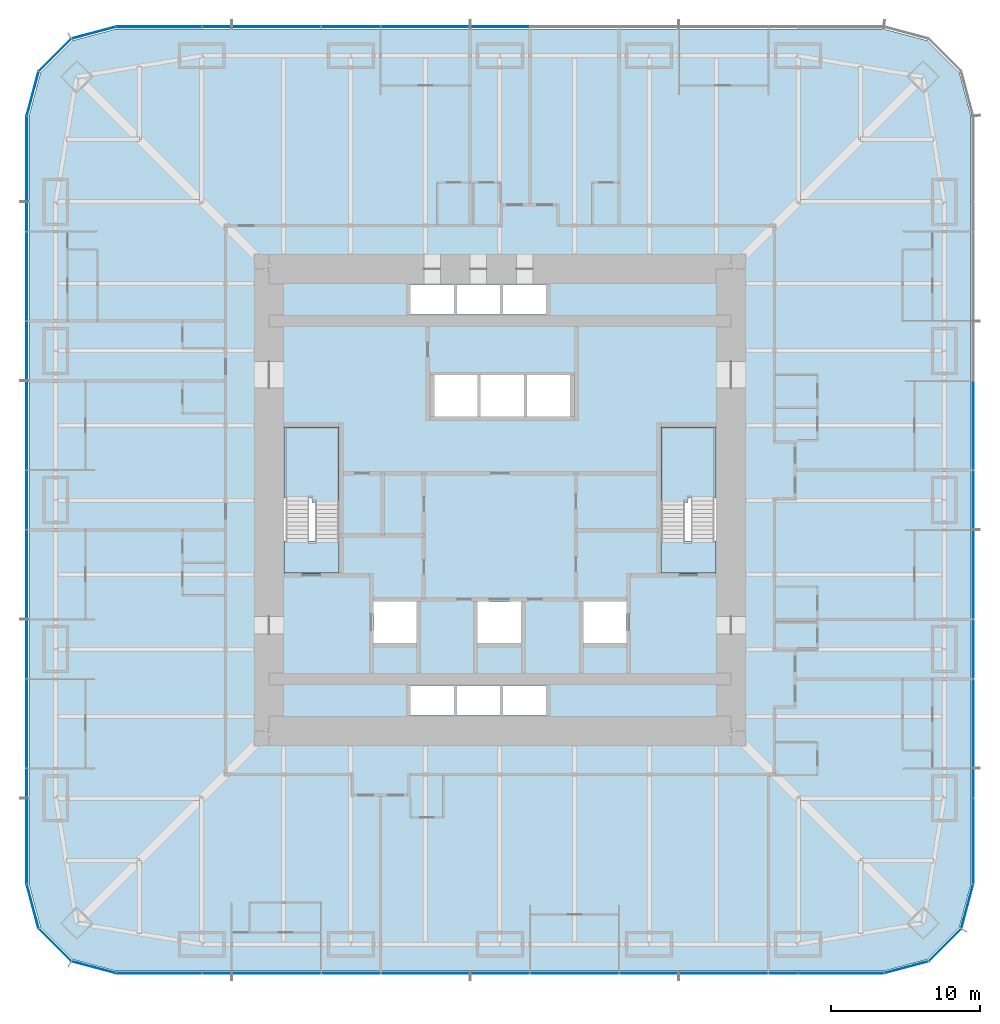
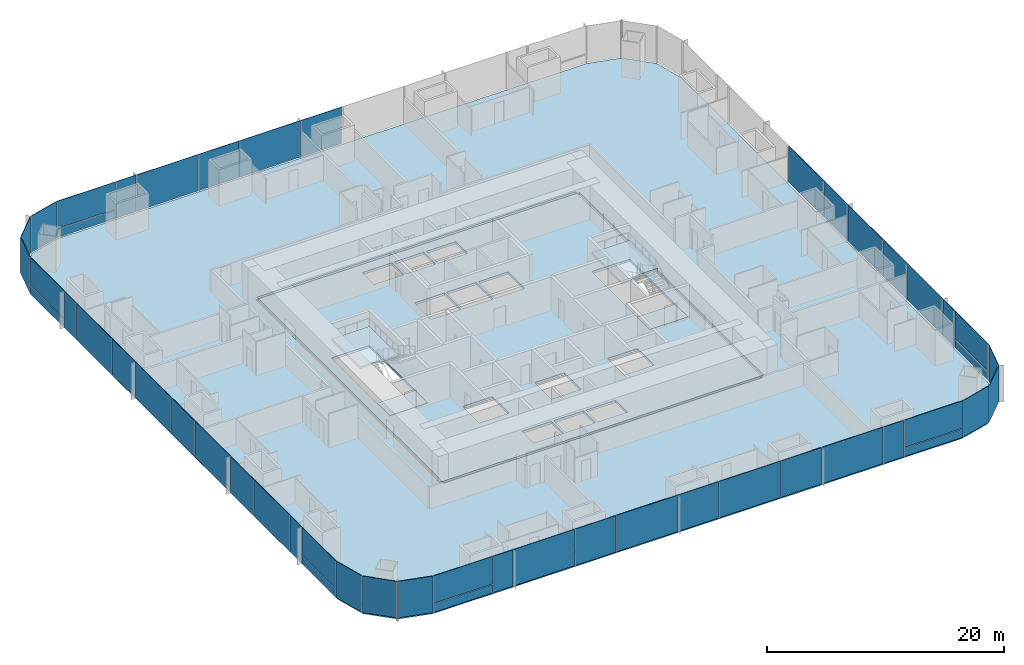
# One storey, part 10 of 17: 50 plates, 6 slabs, 9 elements without a shape of their own.
"""IFC4 building model written with IfcOpenShell, lengths in metres."""

import ifcopenshell
import ifcopenshell.guid

model = None  # the IFC model being written
_history = None  # IfcOwnerHistory: only IFC2X3 demands one
_inside = {}  # id of a spatial element -> (the spatial element, [elements in it])
_under = {}  # id of a project, library or spatial element -> (it, [spatial elements below it])
_declared = {}  # id of a project -> (the project, [libraries it declares])
_typed = {}  # id of a type object -> (the type object, [elements of that type])
_made_of = {}  # id of a material, layer set ... -> (it, [elements and type objects made of it])


def new_model(schema):
    """Start an empty IFC model of exactly this schema.

    Asked for "IFC4X3", IfcOpenShell would pick the latest addendum, in which some entities
    have other attributes; the version numbers below select the first issue.
    IFC2X3 requires an IfcOwnerHistory on every rooted entity: one is made here for all.
    """
    global model, _history
    if schema == "IFC4X3":
        model = ifcopenshell.file(schema_version=(4, 3, 0, 0))
    else:
        model = ifcopenshell.file(schema=schema)
    _inside.clear()
    _under.clear()
    _declared.clear()
    _typed.clear()
    _made_of.clear()
    _history = None
    if model.schema == "IFC2X3":
        org = make("IfcOrganization", Name="unknown")
        user = make(
            "IfcPersonAndOrganization",
            ThePerson=make("IfcPerson", FamilyName="unknown"),
            TheOrganization=org,
        )
        app = make(
            "IfcApplication",
            ApplicationDeveloper=org,
            Version="unknown",
            ApplicationFullName="unknown",
            ApplicationIdentifier="unknown",
        )
        _history = make(
            "IfcOwnerHistory",
            OwningUser=user,
            OwningApplication=app,
            ChangeAction="ADDED",
            CreationDate=0,
        )
    return model


def make(cls, **values):
    """One entity of the class cls with the attributes given. An attribute that is None is left unset."""
    return model.create_entity(
        cls, **{name: value for name, value in values.items() if value is not None}
    )


def rooted(cls, **values):
    """An entity with a GlobalId (a new one), such as an element, a storey or a relation."""
    return make(cls, GlobalId=ifcopenshell.guid.new(), OwnerHistory=_history, **values)


def si_unit(unit_type, name, prefix=None):
    """IfcSIUnit, for example si_unit("LENGTHUNIT", "METRE", prefix="MILLI")."""
    return make("IfcSIUnit", UnitType=unit_type, Prefix=prefix, Name=name)


def assignment(units):
    """IfcUnitAssignment: the units of a project."""
    return None if units is None else make("IfcUnitAssignment", Units=units)


def point(xyz):
    """IfcCartesianPoint."""
    return None if xyz is None else make("IfcCartesianPoint", Coordinates=xyz)


def direction(xyz):
    """IfcDirection."""
    return None if xyz is None else make("IfcDirection", DirectionRatios=xyz)


def frame(location, z_axis=None, x_axis=None):
    """IfcAxis2Placement3D, a coordinate frame: its origin and axes. An axis left out is left unset."""
    return make(
        "IfcAxis2Placement3D",
        Location=point(location),
        Axis=direction(z_axis),
        RefDirection=direction(x_axis),
    )


def frame_2d(location, x_axis=None):
    """IfcAxis2Placement2D, a coordinate frame in the plane: its origin and x axis."""
    return make(
        "IfcAxis2Placement2D", Location=point(location), RefDirection=direction(x_axis)
    )


def origin():
    """The frame at (0, 0, 0) with its axes left unset."""
    return frame((0.0, 0.0, 0.0))


def origin_2d():
    """The frame at (0, 0) in the plane with its x axis left unset."""
    return frame_2d((0.0, 0.0))


def place(relative_to, where):
    """IfcLocalPlacement: puts the frame where relative to a parent placement (None: the world)."""
    return make(
        "IfcLocalPlacement", PlacementRelTo=relative_to, RelativePlacement=where
    )


def context(
    kind, dimensions, precision=None, world=None, true_north=None, identifier=None
):
    """IfcGeometricRepresentationContext, for example the 3D "Model" context."""
    return make(
        "IfcGeometricRepresentationContext",
        ContextIdentifier=identifier,
        ContextType=kind,
        CoordinateSpaceDimension=dimensions,
        Precision=precision,
        WorldCoordinateSystem=world,
        TrueNorth=true_north,
    )


def subcontext(parent, identifier, kind, view, scale=None):
    """IfcGeometricRepresentationSubContext, for example "Body" below "Model"."""
    return make(
        "IfcGeometricRepresentationSubContext",
        ContextIdentifier=identifier,
        ContextType=kind,
        ParentContext=parent,
        TargetScale=scale,
        TargetView=view,
    )


def project(units=None, contexts=None):
    """IfcProject with its units and contexts."""
    return rooted(
        "IfcProject",
        Name="project",
        RepresentationContexts=contexts,
        UnitsInContext=assignment(units),
    )


def spatial(cls, under=None, at=None, **own):
    """A site, building, storey or space (cls), placed at a placement, below another one or the project."""
    s = rooted(cls, ObjectPlacement=at, **own)
    if under is not None:
        _under.setdefault(under.id(), (under, []))[1].append(s)
    return s


def polyline(points):
    """IfcPolyline through the points."""
    return make("IfcPolyline", Points=[point(p) for p in points])


def profile(cls, at=None, kind="AREA", **sizes):
    """A parametric profile (cls). Its sizes go by their IFC names, for example OverallWidth=200.0."""
    return make(cls, ProfileType=kind, Position=at, **sizes)


def rectangle(**sizes):
    """IfcRectangleProfileDef."""
    return profile("IfcRectangleProfileDef", **sizes)


def outline(outer, holes=None, kind="AREA"):
    """IfcArbitraryClosedProfileDef: a profile drawn as a closed curve; with holes, ...WithVoids."""
    if holes is None:
        return make("IfcArbitraryClosedProfileDef", ProfileType=kind, OuterCurve=outer)
    return make(
        "IfcArbitraryProfileDefWithVoids",
        ProfileType=kind,
        OuterCurve=outer,
        InnerCurves=holes,
    )


def extrude(swept, where, along, depth):
    """IfcExtrudedAreaSolid: the profile swept, set in the frame where, extruded along a direction by depth."""
    return make(
        "IfcExtrudedAreaSolid",
        SweptArea=swept,
        Position=where,
        ExtrudedDirection=direction(along),
        Depth=depth,
    )


def shape(context_of_items, identifier, shape_type, items):
    """IfcShapeRepresentation: the items that make up one representation, for example the "Body"."""
    return make(
        "IfcShapeRepresentation",
        ContextOfItems=context_of_items,
        RepresentationIdentifier=identifier,
        RepresentationType=shape_type,
        Items=items,
    )


def material(Name=None, Category=None):
    """IfcMaterial."""
    return make("IfcMaterial", Name=Name, Category=Category)


def layer(
    of_material, thickness, ventilated=None, Name=None, Category=None, Priority=None
):
    """IfcMaterialLayer: one layer of a wall or slab, of a material (None: an air gap)."""
    return make(
        "IfcMaterialLayer",
        Material=of_material,
        LayerThickness=thickness,
        IsVentilated=ventilated,
        Name=Name,
        Category=Category,
        Priority=Priority,
    )


def layer_set(layers, Name=None):
    """IfcMaterialLayerSet."""
    return make("IfcMaterialLayerSet", MaterialLayers=layers, LayerSetName=Name)


def made_of(thing, what):
    """Note that an element or type object is made of a material, layer set ...; save() writes the relation."""
    if what is not None:
        _made_of.setdefault(what.id(), (what, []))[1].append(thing)
    return thing


def type_object(cls, material=None, **own):
    """A type object (cls), such as IfcWallType, which elements share."""
    return made_of(rooted(cls, **own), material)


def element(
    cls,
    number,
    at=None,
    inside=None,
    cuts=None,
    type_object=None,
    material=None,
    context=None,
    identifier="Body",
    shape_type=None,
    held_by="IfcProductDefinitionShape",
    body=None,
    shapes=None,
    **own,
):
    """One element of the class cls, such as IfcWall. Its Tag is "e" and its number.

    at: its placement. inside: the storey or other place that contains it. cuts: it is an
    opening in that element (IfcRelVoidsElement). A single representation is given by context,
    identifier, shape_type and body (its items); several are given by shapes. held_by: the class
    of the entity that holds the representations. save() writes the other relations.
    """
    e = rooted(cls, Tag="e%d" % number, ObjectPlacement=at, **own)
    if body is not None:
        shapes = [shape(context, identifier, shape_type, body)]
    if shapes is not None:
        e.Representation = make(held_by, Representations=shapes)
    if inside is not None:
        _inside.setdefault(inside.id(), (inside, []))[1].append(e)
    if cuts is not None:
        rooted(
            "IfcRelVoidsElement", RelatingBuildingElement=cuts, RelatedOpeningElement=e
        )
    if type_object is not None:
        _typed.setdefault(type_object.id(), (type_object, []))[1].append(e)
    return made_of(e, material)


def aggregate(whole, parts):
    """IfcRelAggregates: a whole, such as a stair, and the parts it consists of."""
    return rooted("IfcRelAggregates", RelatingObject=whole, RelatedObjects=parts)


def save(model, path):
    """Write the relations noted so far, then the file.

    IfcRelAggregates (storeys below a building ...), IfcRelContainedInSpatialStructure (elements
    in a storey), IfcRelDefinesByType, IfcRelAssociatesMaterial and IfcRelDeclares: one each for
    every whole, place, type object, material and project.
    """
    for whole, parts in _under.values():
        aggregate(whole, parts)
    for where, things in _inside.values():
        rooted(
            "IfcRelContainedInSpatialStructure",
            RelatedElements=things,
            RelatingStructure=where,
        )
    for kind, things in _typed.values():
        rooted("IfcRelDefinesByType", RelatedObjects=things, RelatingType=kind)
    for what, things in _made_of.values():
        rooted("IfcRelAssociatesMaterial", RelatedObjects=things, RelatingMaterial=what)
    for by, libraries in _declared.values():
        rooted("IfcRelDeclares", RelatingContext=by, RelatedDefinitions=libraries)
    model.write(path)


model = new_model("IFC4")

# Units and contexts
model_context = context("Model", 3, precision=1e-05, world=origin(), true_north=direction((0.0, 1.0)))
body_context = subcontext(model_context, "Body", "Model", "MODEL_VIEW")
ifc_project = project(units=[si_unit("LENGTHUNIT", "METRE"), si_unit("AREAUNIT", "SQUARE_METRE"), si_unit("VOLUMEUNIT", "CUBIC_METRE"), si_unit("PLANEANGLEUNIT", "RADIAN"), si_unit("MASSUNIT", "GRAM", prefix="KILO")], contexts=[model_context])

# Site, building, storey
site_placement = place(None, origin())
site = spatial("IfcSite", under=ifc_project, at=site_placement, CompositionType="ELEMENT")
building_placement = place(site_placement, origin())
building = spatial("IfcBuilding", under=site, at=building_placement, Name="Khuree Lantern Residences", CompositionType="ELEMENT")
storey_placement = place(building_placement, frame((0.0, 0.0, 43.5)))
storey = spatial("IfcBuildingStorey", under=building, at=storey_placement, Name="L10", CompositionType="ELEMENT", Elevation=43.5)

# Slab
ifc_material_1 = material(Name="Concrete C35/45", Category="concrete")
ifc_layer_1 = layer(ifc_material_1, 0.25)
ifc_layer_set_1 = layer_set([ifc_layer_1], Name="CFL250 CORE FLOOR SLAB 250")
slab_type_1 = type_object("IfcSlabType", Name="CFL250 CORE FLOOR SLAB 250", PredefinedType="FLOOR", material=ifc_layer_set_1)
slab_1_placement = place(storey_placement, frame((0.0, 0.0, -0.25)))
element("IfcSlab", 1, at=slab_1_placement, inside=storey, type_object=slab_type_1, Name="Core floor L10", PredefinedType="FLOOR", context=body_context, shape_type="SweptSolid", body=[
    extrude(outline(polyline([(-15.5, -15.5), (-15.5, 15.5), (15.5, 15.5), (15.5, -15.5), (-15.5, -15.5)]), holes=[polyline([(14.5, 4.89990234375), (10.800048828125, 4.89990234375), (10.800048828125, -4.89990234375), (14.5, -4.89990234375), (14.5, 4.89990234375)]), polyline([(8.5, -6.800048828125), (5.60009765625, -6.800048828125), (5.60009765625, -9.60009765625), (8.5, -9.60009765625), (8.5, -6.800048828125)]), polyline([(4.699951171875, 8.39990234375), (1.800048828125, 8.39990234375), (1.800048828125, 5.60009765625), (4.699951171875, 5.60009765625), (4.699951171875, 8.39990234375)]), polyline([(0.199951171875, -12.449951171875), (0.199951171875, -14.449951171875), (3.10009765625, -14.449951171875), (3.10009765625, -12.449951171875), (0.199951171875, -12.449951171875)]), polyline([(3.10009765625, 14.449951171875), (0.199951171875, 14.449951171875), (0.199951171875, 12.449951171875), (3.10009765625, 12.449951171875), (3.10009765625, 14.449951171875)]), polyline([(1.60009765625, 8.39990234375), (-1.300048828125, 8.39990234375), (-1.300048828125, 5.60009765625), (1.60009765625, 5.60009765625), (1.60009765625, 8.39990234375)]), polyline([(1.39990234375, -6.800048828125), (-1.5, -6.800048828125), (-1.5, -9.60009765625), (1.39990234375, -9.60009765625), (1.39990234375, -6.800048828125)]), polyline([(0.0, -12.449951171875), (-2.89990234375, -12.449951171875), (-2.89990234375, -14.449951171875), (0.0, -14.449951171875), (0.0, -12.449951171875)]), polyline([(0.0, 14.449951171875), (-2.89990234375, 14.449951171875), (-2.89990234375, 12.449951171875), (0.0, 12.449951171875), (0.0, 14.449951171875)]), polyline([(-1.5, 8.39990234375), (-4.39990234375, 8.39990234375), (-4.39990234375, 5.60009765625), (-1.5, 5.60009765625), (-1.5, 8.39990234375)]), polyline([(-6.0, -12.449951171875), (-6.0, -14.449951171875), (-3.10009765625, -14.449951171875), (-3.10009765625, -12.449951171875), (-6.0, -12.449951171875)]), polyline([(-3.10009765625, 14.449951171875), (-6.0, 14.449951171875), (-6.0, 12.449951171875), (-3.10009765625, 12.449951171875), (-3.10009765625, 14.449951171875)]), polyline([(-5.60009765625, -6.800048828125), (-8.5, -6.800048828125), (-8.5, -9.60009765625), (-5.60009765625, -9.60009765625), (-5.60009765625, -6.800048828125)]), polyline([(-10.800048828125, 4.89990234375), (-14.5, 4.89990234375), (-14.5, -4.89990234375), (-10.800048828125, -4.89990234375), (-10.800048828125, 4.89990234375)])]), origin(), (0.0, 0.0, 1.0), 0.25),
])

# Curtain wall, plates
ifc_material_2 = material(Name="Bronze anodised aluminium", Category="aluminium")
curtain_wall_type_1 = type_object("IfcCurtainWallType", Name="CW-T2 TOWER CORNER CURTAIN WALL", PredefinedType="USERDEFINED", material=ifc_material_2)
curtain_wall_1_placement = place(storey_placement, origin())
curtain_wall_1 = element("IfcCurtainWall", 2, at=curtain_wall_1_placement, inside=storey, type_object=curtain_wall_type_1, Name="L10 SOUTH-EAST CORNER CURTAIN WALL", ObjectType="Faceted corner curtain wall", PredefinedType="USERDEFINED")
ifc_material_3 = material(Name="Bronze tinted triple glazing", Category="glass")
ifc_layer_2 = layer(ifc_material_3, 0.048095703125)
ifc_layer_set_2 = layer_set([ifc_layer_2], Name="FACET PANEL P4")
plate_type_1 = type_object("IfcPlateType", Name="FACET PANEL P4", PredefinedType="CURTAIN_PANEL", material=ifc_layer_set_2)
plate_1_placement = place(storey_placement, frame((27.248046875, -31.3486328125, 0.0), z_axis=(0.0, 0.0, 1.0), x_axis=(0.965925792265, 0.258819172081, 0.0)))
plate_1 = element("IfcPlate", 3, at=plate_1_placement, type_object=plate_type_1, Name="L10 SOUTH-EAST CORNER PANEL 1.1", PredefinedType="CURTAIN_PANEL", context=body_context, shape_type="SweptSolid", body=[
    extrude(rectangle(XDim=3.02978515625, YDim=0.048095703125, at=origin_2d()), origin(), (0.0, 0.0, 1.0), 3.75),
])
plate_2_placement = place(storey_placement, frame((29.84814453125, -29.84814453125, 0.0), z_axis=(0.0, 0.0, 1.0), x_axis=(0.707106781187, 0.707106781187, 0.0)))
plate_2 = element("IfcPlate", 4, at=plate_2_placement, type_object=plate_type_1, Name="L10 SOUTH-EAST CORNER PANEL 2.1", PredefinedType="CURTAIN_PANEL", context=body_context, shape_type="SweptSolid", body=[
    extrude(rectangle(XDim=3.025634765625, YDim=0.048095703125, at=origin_2d()), origin(), (0.0, 0.0, 1.0), 3.75),
])
plate_3_placement = place(storey_placement, frame((31.3486328125, -27.248046875, 0.0), z_axis=(0.0, 0.0, 1.0), x_axis=(0.258819172081, 0.965925792265, 0.0)))
plate_3 = element("IfcPlate", 5, at=plate_3_placement, type_object=plate_type_1, Name="L10 SOUTH-EAST CORNER PANEL 3.1", PredefinedType="CURTAIN_PANEL", context=body_context, shape_type="SweptSolid", body=[
    extrude(rectangle(XDim=3.02978515625, YDim=0.048095703125, at=origin_2d()), origin(), (0.0, 0.0, 1.0), 3.75),
])
aggregate(curtain_wall_1, [plate_1, plate_2, plate_3])

curtain_wall_2_placement = place(storey_placement, origin())
curtain_wall_2 = element("IfcCurtainWall", 6, at=curtain_wall_2_placement, inside=storey, type_object=curtain_wall_type_1, Name="L10 NORTH-WEST CORNER CURTAIN WALL", ObjectType="Faceted corner curtain wall", PredefinedType="USERDEFINED")
plate_4_placement = place(storey_placement, frame((-27.248046875, 31.3486328125, 0.0), z_axis=(0.0, 0.0, 1.0), x_axis=(-0.965925792265, -0.258819172081, 0.0)))
plate_4 = element("IfcPlate", 7, at=plate_4_placement, type_object=plate_type_1, Name="L10 NORTH-WEST CORNER PANEL 29.1", PredefinedType="CURTAIN_PANEL", context=body_context, shape_type="SweptSolid", body=[
    extrude(rectangle(XDim=3.02978515625, YDim=0.048095703125, at=origin_2d()), origin(), (0.0, 0.0, 1.0), 3.75),
])
plate_5_placement = place(storey_placement, frame((-29.84814453125, 29.84814453125, 0.0), z_axis=(0.0, 0.0, 1.0), x_axis=(-0.707106781187, -0.707106781187, 0.0)))
plate_5 = element("IfcPlate", 8, at=plate_5_placement, type_object=plate_type_1, Name="L10 NORTH-WEST CORNER PANEL 30.1", PredefinedType="CURTAIN_PANEL", context=body_context, shape_type="SweptSolid", body=[
    extrude(rectangle(XDim=3.025634765625, YDim=0.048095703125, at=origin_2d()), origin(), (0.0, 0.0, 1.0), 3.75),
])
plate_6_placement = place(storey_placement, frame((-31.3486328125, 27.248046875, 0.0), z_axis=(0.0, 0.0, 1.0), x_axis=(-0.258819172081, -0.965925792265, 0.0)))
plate_6 = element("IfcPlate", 9, at=plate_6_placement, type_object=plate_type_1, Name="L10 NORTH-WEST CORNER PANEL 31.1", PredefinedType="CURTAIN_PANEL", context=body_context, shape_type="SweptSolid", body=[
    extrude(rectangle(XDim=3.02978515625, YDim=0.048095703125, at=origin_2d()), origin(), (0.0, 0.0, 1.0), 3.75),
])
aggregate(curtain_wall_2, [plate_4, plate_5, plate_6])

curtain_wall_3_placement = place(storey_placement, origin())
curtain_wall_3 = element("IfcCurtainWall", 10, at=curtain_wall_3_placement, inside=storey, type_object=curtain_wall_type_1, Name="L10 SOUTH-WEST CORNER CURTAIN WALL", ObjectType="Faceted corner curtain wall", PredefinedType="USERDEFINED")
plate_7_placement = place(storey_placement, frame((-31.3486328125, -27.248046875, 0.0), z_axis=(0.0, 0.0, 1.0), x_axis=(0.258819172081, -0.965925792265, 0.0)))
plate_7 = element("IfcPlate", 11, at=plate_7_placement, type_object=plate_type_1, Name="L10 SOUTH-WEST CORNER PANEL 43.1", PredefinedType="CURTAIN_PANEL", context=body_context, shape_type="SweptSolid", body=[
    extrude(rectangle(XDim=3.02978515625, YDim=0.048095703125, at=origin_2d()), origin(), (0.0, 0.0, 1.0), 3.75),
])
plate_8_placement = place(storey_placement, frame((-29.84814453125, -29.84814453125, 0.0), z_axis=(0.0, 0.0, 1.0), x_axis=(0.707106781187, -0.707106781187, 0.0)))
plate_8 = element("IfcPlate", 12, at=plate_8_placement, type_object=plate_type_1, Name="L10 SOUTH-WEST CORNER PANEL 44.1", PredefinedType="CURTAIN_PANEL", context=body_context, shape_type="SweptSolid", body=[
    extrude(rectangle(XDim=3.025634765625, YDim=0.048095703125, at=origin_2d()), origin(), (0.0, 0.0, 1.0), 3.75),
])
plate_9_placement = place(storey_placement, frame((-27.248046875, -31.3486328125, 0.0), z_axis=(0.0, 0.0, 1.0), x_axis=(0.965925792265, -0.258819172081, 0.0)))
plate_9 = element("IfcPlate", 13, at=plate_9_placement, type_object=plate_type_1, Name="L10 SOUTH-WEST CORNER PANEL 45.1", PredefinedType="CURTAIN_PANEL", context=body_context, shape_type="SweptSolid", body=[
    extrude(rectangle(XDim=3.02978515625, YDim=0.048095703125, at=origin_2d()), origin(), (0.0, 0.0, 1.0), 3.75),
])
aggregate(curtain_wall_3, [plate_7, plate_8, plate_9])

curtain_wall_type_2 = type_object("IfcCurtainWallType", Name="CW-T1 TOWER FACE CURTAIN WALL", PredefinedType="USERDEFINED", material=ifc_material_2)
curtain_wall_4_placement = place(storey_placement, origin())
curtain_wall_4 = element("IfcCurtainWall", 14, at=curtain_wall_4_placement, inside=storey, type_object=curtain_wall_type_2, Name="L10 EAST FACE CURTAIN WALL", ObjectType="Stick-built curtain wall", PredefinedType="USERDEFINED")
ifc_material_4 = material(Name="Bronze tinted triple glazing with a ceramic-fritted spandrel band", Category="glass")
ifc_layer_3 = layer(ifc_material_4, 0.048095703125)
ifc_layer_set_3 = layer_set([ifc_layer_3], Name="FIXED LIGHT PANEL P11")
plate_type_2 = type_object("IfcPlateType", Name="FIXED LIGHT PANEL P11", PredefinedType="CURTAIN_PANEL", material=ifc_layer_set_3)
plate_10_placement = place(storey_placement, frame((31.75, -15.0, 0.0), z_axis=(0.0, 0.0, 1.0), x_axis=(0.0, 1.0, 0.0)))
plate_10 = element("IfcPlate", 15, at=plate_10_placement, type_object=plate_type_2, Name="L10 EAST FACE PANEL 6.1", PredefinedType="CURTAIN_PANEL", context=body_context, shape_type="SweptSolid", body=[
    extrude(rectangle(XDim=5.93505859375, YDim=0.048095703125, at=origin_2d()), origin(), (0.0, 0.0, 1.0), 3.75),
])
plate_11_placement = place(storey_placement, frame((31.75, -5.0, 0.0), z_axis=(0.0, 0.0, 1.0), x_axis=(0.0, 1.0, 0.0)))
plate_11 = element("IfcPlate", 16, at=plate_11_placement, type_object=plate_type_2, Name="L10 EAST FACE PANEL 8.1", PredefinedType="CURTAIN_PANEL", context=body_context, shape_type="SweptSolid", body=[
    extrude(rectangle(XDim=5.93505859375, YDim=0.048095703125, at=origin_2d()), origin(), (0.0, 0.0, 1.0), 3.75),
])
plate_12_placement = place(storey_placement, frame((31.75, 5.0, 0.0), z_axis=(0.0, 0.0, 1.0), x_axis=(0.0, 1.0, 0.0)))
plate_12 = element("IfcPlate", 17, at=plate_12_placement, type_object=plate_type_2, Name="L10 EAST FACE PANEL 10.1", PredefinedType="CURTAIN_PANEL", context=body_context, shape_type="SweptSolid", body=[
    extrude(rectangle(XDim=5.93505859375, YDim=0.048095703125, at=origin_2d()), origin(), (0.0, 0.0, 1.0), 3.75),
])

curtain_wall_5_placement = place(storey_placement, origin())
curtain_wall_5 = element("IfcCurtainWall", 18, at=curtain_wall_5_placement, inside=storey, type_object=curtain_wall_type_2, Name="L10 NORTH FACE CURTAIN WALL", ObjectType="Stick-built curtain wall", PredefinedType="USERDEFINED")
plate_13_placement = place(storey_placement, frame((-5.0, 31.75, 0.0), z_axis=(0.0, 0.0, 1.0), x_axis=(-1.0, 0.0, 0.0)))
plate_13 = element("IfcPlate", 19, at=plate_13_placement, type_object=plate_type_2, Name="L10 NORTH FACE PANEL 24.1", PredefinedType="CURTAIN_PANEL", context=body_context, shape_type="SweptSolid", body=[
    extrude(rectangle(XDim=5.93505859375, YDim=0.048095703125, at=origin_2d()), origin(), (0.0, 0.0, 1.0), 3.75),
])
plate_14_placement = place(storey_placement, frame((-15.0, 31.75, 0.0), z_axis=(0.0, 0.0, 1.0), x_axis=(-1.0, 0.0, 0.0)))
plate_14 = element("IfcPlate", 20, at=plate_14_placement, type_object=plate_type_2, Name="L10 NORTH FACE PANEL 26.1", PredefinedType="CURTAIN_PANEL", context=body_context, shape_type="SweptSolid", body=[
    extrude(rectangle(XDim=5.93505859375, YDim=0.048095703125, at=origin_2d()), origin(), (0.0, 0.0, 1.0), 3.75),
])

curtain_wall_6_placement = place(storey_placement, origin())
curtain_wall_6 = element("IfcCurtainWall", 21, at=curtain_wall_6_placement, inside=storey, type_object=curtain_wall_type_2, Name="L10 WEST FACE CURTAIN WALL", ObjectType="Stick-built curtain wall", PredefinedType="USERDEFINED")
plate_15_placement = place(storey_placement, frame((-31.75, 15.0, 0.0), z_axis=(0.0, 0.0, 1.0), x_axis=(0.0, -1.0, 0.0)))
plate_15 = element("IfcPlate", 22, at=plate_15_placement, type_object=plate_type_2, Name="L10 WEST FACE PANEL 34.1", PredefinedType="CURTAIN_PANEL", context=body_context, shape_type="SweptSolid", body=[
    extrude(rectangle(XDim=5.93505859375, YDim=0.048095703125, at=origin_2d()), origin(), (0.0, 0.0, 1.0), 3.75),
])
plate_16_placement = place(storey_placement, frame((-31.75, 5.0, 0.0), z_axis=(0.0, 0.0, 1.0), x_axis=(0.0, -1.0, 0.0)))
plate_16 = element("IfcPlate", 23, at=plate_16_placement, type_object=plate_type_2, Name="L10 WEST FACE PANEL 36.1", PredefinedType="CURTAIN_PANEL", context=body_context, shape_type="SweptSolid", body=[
    extrude(rectangle(XDim=5.93505859375, YDim=0.048095703125, at=origin_2d()), origin(), (0.0, 0.0, 1.0), 3.75),
])
plate_17_placement = place(storey_placement, frame((-31.75, -5.0, 0.0), z_axis=(0.0, 0.0, 1.0), x_axis=(0.0, -1.0, 0.0)))
plate_17 = element("IfcPlate", 24, at=plate_17_placement, type_object=plate_type_2, Name="L10 WEST FACE PANEL 38.1", PredefinedType="CURTAIN_PANEL", context=body_context, shape_type="SweptSolid", body=[
    extrude(rectangle(XDim=5.93505859375, YDim=0.048095703125, at=origin_2d()), origin(), (0.0, 0.0, 1.0), 3.75),
])
plate_18_placement = place(storey_placement, frame((-31.75, -15.0, 0.0), z_axis=(0.0, 0.0, 1.0), x_axis=(0.0, -1.0, 0.0)))
plate_18 = element("IfcPlate", 25, at=plate_18_placement, type_object=plate_type_2, Name="L10 WEST FACE PANEL 40.1", PredefinedType="CURTAIN_PANEL", context=body_context, shape_type="SweptSolid", body=[
    extrude(rectangle(XDim=5.93505859375, YDim=0.048095703125, at=origin_2d()), origin(), (0.0, 0.0, 1.0), 3.75),
])

curtain_wall_7_placement = place(storey_placement, origin())
curtain_wall_7 = element("IfcCurtainWall", 26, at=curtain_wall_7_placement, inside=storey, type_object=curtain_wall_type_2, Name="L10 SOUTH FACE CURTAIN WALL", ObjectType="Stick-built curtain wall", PredefinedType="USERDEFINED")
plate_19_placement = place(storey_placement, frame((-15.0, -31.75, 0.0), z_axis=(0.0, 0.0, 1.0), x_axis=(1.0, 0.0, 0.0)))
plate_19 = element("IfcPlate", 27, at=plate_19_placement, type_object=plate_type_2, Name="L10 SOUTH FACE PANEL 48.1", PredefinedType="CURTAIN_PANEL", context=body_context, shape_type="SweptSolid", body=[
    extrude(rectangle(XDim=5.93505859375, YDim=0.048095703125, at=origin_2d()), origin(), (0.0, 0.0, 1.0), 3.75),
])
plate_20_placement = place(storey_placement, frame((-5.0, -31.75, 0.0), z_axis=(0.0, 0.0, 1.0), x_axis=(1.0, 0.0, 0.0)))
plate_20 = element("IfcPlate", 28, at=plate_20_placement, type_object=plate_type_2, Name="L10 SOUTH FACE PANEL 50.1", PredefinedType="CURTAIN_PANEL", context=body_context, shape_type="SweptSolid", body=[
    extrude(rectangle(XDim=5.93505859375, YDim=0.048095703125, at=origin_2d()), origin(), (0.0, 0.0, 1.0), 3.75),
])
plate_21_placement = place(storey_placement, frame((5.0, -31.75, 0.0), z_axis=(0.0, 0.0, 1.0), x_axis=(1.0, 0.0, 0.0)))
plate_21 = element("IfcPlate", 29, at=plate_21_placement, type_object=plate_type_2, Name="L10 SOUTH FACE PANEL 52.1", PredefinedType="CURTAIN_PANEL", context=body_context, shape_type="SweptSolid", body=[
    extrude(rectangle(XDim=5.93505859375, YDim=0.048095703125, at=origin_2d()), origin(), (0.0, 0.0, 1.0), 3.75),
])
plate_22_placement = place(storey_placement, frame((15.0, -31.75, 0.0), z_axis=(0.0, 0.0, 1.0), x_axis=(1.0, 0.0, 0.0)))
plate_22 = element("IfcPlate", 30, at=plate_22_placement, type_object=plate_type_2, Name="L10 SOUTH FACE PANEL 54.1", PredefinedType="CURTAIN_PANEL", context=body_context, shape_type="SweptSolid", body=[
    extrude(rectangle(XDim=5.93505859375, YDim=0.048095703125, at=origin_2d()), origin(), (0.0, 0.0, 1.0), 3.75),
])

# Slab
ifc_layer_4 = layer(ifc_material_1, 0.25)
ifc_layer_set_4 = layer_set([ifc_layer_4], Name="FS250 FLOOR SLAB 250")
slab_type_2 = type_object("IfcSlabType", Name="FS250 FLOOR SLAB 250", PredefinedType="FLOOR", material=ifc_layer_set_4)
slab_2_placement = place(storey_placement, frame((0.0, 0.0, -0.25)))
element("IfcSlab", 31, at=slab_2_placement, inside=storey, type_object=slab_type_2, Name="Floor slab L10", PredefinedType="FLOOR", context=body_context, shape_type="SweptSolid", body=[
    extrude(outline(polyline([(-28.675048828125, -30.816162109375), (-30.816162109375, -28.675048828125), (-31.60009765625, -25.75), (-31.60009765625, 25.75), (-30.816162109375, 28.675048828125), (-28.675048828125, 30.816162109375), (-25.75, 31.60009765625), (25.75, 31.60009765625), (28.675048828125, 30.816162109375), (30.816162109375, 28.675048828125), (31.60009765625, 25.75), (31.60009765625, -25.75), (30.816162109375, -28.675048828125), (28.675048828125, -30.816162109375), (25.75, -31.60009765625), (-25.75, -31.60009765625), (-28.675048828125, -30.816162109375)]), holes=[polyline([(15.75, 15.5), (15.5, 15.5), (15.5, 15.75), (-15.5, 15.75), (-15.5, 15.5), (-15.75, 15.5), (-15.75, -15.5), (-15.5, -15.5), (-15.5, -15.75), (15.5, -15.75), (15.5, -15.5), (15.75, -15.5), (15.75, 15.5)])]), origin(), (0.0, 0.0, 1.0), 0.25),
])

# Plate
ifc_material_5 = material(Name="Bronze tinted triple glazing, two aluminium-framed sashes in one frame", Category="aluminium")
ifc_layer_5 = layer(ifc_material_5, 0.048095703125)
ifc_layer_set_5 = layer_set([ifc_layer_5], Name="SASH PAIR PANEL P12")
plate_type_3 = type_object("IfcPlateType", Name="SASH PAIR PANEL P12", PredefinedType="CURTAIN_PANEL", material=ifc_layer_set_5)
plate_23_placement = place(storey_placement, frame((31.75, -10.0, 0.0), z_axis=(0.0, 0.0, 1.0), x_axis=(0.0, 1.0, 0.0)))
plate_23 = element("IfcPlate", 32, at=plate_23_placement, type_object=plate_type_3, Name="L10 EAST FACE PANEL 7.1", PredefinedType="CURTAIN_PANEL", context=body_context, shape_type="SweptSolid", body=[
    extrude(rectangle(XDim=3.93505859375, YDim=0.048095703125, at=origin_2d()), origin(), (0.0, 0.0, 1.0), 3.75),
])

plate_24_placement = place(storey_placement, frame((31.75, 0.0, 0.0), z_axis=(0.0, 0.0, 1.0), x_axis=(0.0, 1.0, 0.0)))
plate_24 = element("IfcPlate", 33, at=plate_24_placement, type_object=plate_type_3, Name="L10 EAST FACE PANEL 9.1", PredefinedType="CURTAIN_PANEL", context=body_context, shape_type="SweptSolid", body=[
    extrude(rectangle(XDim=3.93505859375, YDim=0.048095703125, at=origin_2d()), origin(), (0.0, 0.0, 1.0), 3.75),
])

plate_25_placement = place(storey_placement, frame((0.0, 31.75, 0.0), z_axis=(0.0, 0.0, 1.0), x_axis=(-1.0, 0.0, 0.0)))
plate_25 = element("IfcPlate", 34, at=plate_25_placement, type_object=plate_type_3, Name="L10 NORTH FACE PANEL 23.1", PredefinedType="CURTAIN_PANEL", context=body_context, shape_type="SweptSolid", body=[
    extrude(rectangle(XDim=3.93505859375, YDim=0.048095703125, at=origin_2d()), origin(), (0.0, 0.0, 1.0), 3.75),
])

plate_26_placement = place(storey_placement, frame((-10.0, 31.75, 0.0), z_axis=(0.0, 0.0, 1.0), x_axis=(-1.0, 0.0, 0.0)))
plate_26 = element("IfcPlate", 35, at=plate_26_placement, type_object=plate_type_3, Name="L10 NORTH FACE PANEL 25.1", PredefinedType="CURTAIN_PANEL", context=body_context, shape_type="SweptSolid", body=[
    extrude(rectangle(XDim=3.93505859375, YDim=0.048095703125, at=origin_2d()), origin(), (0.0, 0.0, 1.0), 3.75),
])

plate_27_placement = place(storey_placement, frame((-31.75, 10.0, 0.0), z_axis=(0.0, 0.0, 1.0), x_axis=(0.0, -1.0, 0.0)))
plate_27 = element("IfcPlate", 36, at=plate_27_placement, type_object=plate_type_3, Name="L10 WEST FACE PANEL 35.1", PredefinedType="CURTAIN_PANEL", context=body_context, shape_type="SweptSolid", body=[
    extrude(rectangle(XDim=3.93505859375, YDim=0.048095703125, at=origin_2d()), origin(), (0.0, 0.0, 1.0), 3.75),
])

plate_28_placement = place(storey_placement, frame((-31.75, 0.0, 0.0), z_axis=(0.0, 0.0, 1.0), x_axis=(0.0, -1.0, 0.0)))
plate_28 = element("IfcPlate", 37, at=plate_28_placement, type_object=plate_type_3, Name="L10 WEST FACE PANEL 37.1", PredefinedType="CURTAIN_PANEL", context=body_context, shape_type="SweptSolid", body=[
    extrude(rectangle(XDim=3.93505859375, YDim=0.048095703125, at=origin_2d()), origin(), (0.0, 0.0, 1.0), 3.75),
])

plate_29_placement = place(storey_placement, frame((-31.75, -10.0, 0.0), z_axis=(0.0, 0.0, 1.0), x_axis=(0.0, -1.0, 0.0)))
plate_29 = element("IfcPlate", 38, at=plate_29_placement, type_object=plate_type_3, Name="L10 WEST FACE PANEL 39.1", PredefinedType="CURTAIN_PANEL", context=body_context, shape_type="SweptSolid", body=[
    extrude(rectangle(XDim=3.93505859375, YDim=0.048095703125, at=origin_2d()), origin(), (0.0, 0.0, 1.0), 3.75),
])

plate_30_placement = place(storey_placement, frame((-10.0, -31.75, 0.0), z_axis=(0.0, 0.0, 1.0), x_axis=(1.0, 0.0, 0.0)))
plate_30 = element("IfcPlate", 39, at=plate_30_placement, type_object=plate_type_3, Name="L10 SOUTH FACE PANEL 49.1", PredefinedType="CURTAIN_PANEL", context=body_context, shape_type="SweptSolid", body=[
    extrude(rectangle(XDim=3.93505859375, YDim=0.048095703125, at=origin_2d()), origin(), (0.0, 0.0, 1.0), 3.75),
])

plate_31_placement = place(storey_placement, frame((0.0, -31.75, 0.0), z_axis=(0.0, 0.0, 1.0), x_axis=(1.0, 0.0, 0.0)))
plate_31 = element("IfcPlate", 40, at=plate_31_placement, type_object=plate_type_3, Name="L10 SOUTH FACE PANEL 51.1", PredefinedType="CURTAIN_PANEL", context=body_context, shape_type="SweptSolid", body=[
    extrude(rectangle(XDim=3.93505859375, YDim=0.048095703125, at=origin_2d()), origin(), (0.0, 0.0, 1.0), 3.75),
])

plate_32_placement = place(storey_placement, frame((10.0, -31.75, 0.0), z_axis=(0.0, 0.0, 1.0), x_axis=(1.0, 0.0, 0.0)))
plate_32 = element("IfcPlate", 41, at=plate_32_placement, type_object=plate_type_3, Name="L10 SOUTH FACE PANEL 53.1", PredefinedType="CURTAIN_PANEL", context=body_context, shape_type="SweptSolid", body=[
    extrude(rectangle(XDim=3.93505859375, YDim=0.048095703125, at=origin_2d()), origin(), (0.0, 0.0, 1.0), 3.75),
])

ifc_material_6 = material(Name="Bronze tinted triple glazing, aluminium-framed sash", Category="aluminium")
ifc_layer_6 = layer(ifc_material_6, 0.048095703125)
ifc_layer_set_6 = layer_set([ifc_layer_6], Name="SASH PANEL P3")
plate_type_4 = type_object("IfcPlateType", Name="SASH PANEL P3", PredefinedType="CURTAIN_PANEL", material=ifc_layer_set_6)
plate_33_placement = place(storey_placement, frame((31.75, -19.0, 0.0), z_axis=(0.0, 0.0, 1.0), x_axis=(0.0, 1.0, 0.0)))
plate_33 = element("IfcPlate", 42, at=plate_33_placement, type_object=plate_type_4, Name="L10 EAST FACE PANEL 5.1", PredefinedType="CURTAIN_PANEL", context=body_context, shape_type="SweptSolid", body=[
    extrude(rectangle(XDim=1.93505859375, YDim=0.048095703125, at=origin_2d()), origin(), (0.0, 0.0, 1.0), 3.75),
])

plate_34_placement = place(storey_placement, frame((-19.0, 31.75, 0.0), z_axis=(0.0, 0.0, 1.0), x_axis=(-1.0, 0.0, 0.0)))
plate_34 = element("IfcPlate", 43, at=plate_34_placement, type_object=plate_type_4, Name="L10 NORTH FACE PANEL 27.1", PredefinedType="CURTAIN_PANEL", context=body_context, shape_type="SweptSolid", body=[
    extrude(rectangle(XDim=1.93505859375, YDim=0.048095703125, at=origin_2d()), origin(), (0.0, 0.0, 1.0), 3.75),
])

plate_35_placement = place(storey_placement, frame((-31.75, 19.0, 0.0), z_axis=(0.0, 0.0, 1.0), x_axis=(0.0, -1.0, 0.0)))
plate_35 = element("IfcPlate", 44, at=plate_35_placement, type_object=plate_type_4, Name="L10 WEST FACE PANEL 33.1", PredefinedType="CURTAIN_PANEL", context=body_context, shape_type="SweptSolid", body=[
    extrude(rectangle(XDim=1.93505859375, YDim=0.048095703125, at=origin_2d()), origin(), (0.0, 0.0, 1.0), 3.75),
])

plate_36_placement = place(storey_placement, frame((-31.75, -19.0, 0.0), z_axis=(0.0, 0.0, 1.0), x_axis=(0.0, -1.0, 0.0)))
plate_36 = element("IfcPlate", 45, at=plate_36_placement, type_object=plate_type_4, Name="L10 WEST FACE PANEL 41.1", PredefinedType="CURTAIN_PANEL", context=body_context, shape_type="SweptSolid", body=[
    extrude(rectangle(XDim=1.93505859375, YDim=0.048095703125, at=origin_2d()), origin(), (0.0, 0.0, 1.0), 3.75),
])

plate_37_placement = place(storey_placement, frame((-19.0, -31.75, 0.0), z_axis=(0.0, 0.0, 1.0), x_axis=(1.0, 0.0, 0.0)))
plate_37 = element("IfcPlate", 46, at=plate_37_placement, type_object=plate_type_4, Name="L10 SOUTH FACE PANEL 47.1", PredefinedType="CURTAIN_PANEL", context=body_context, shape_type="SweptSolid", body=[
    extrude(rectangle(XDim=1.93505859375, YDim=0.048095703125, at=origin_2d()), origin(), (0.0, 0.0, 1.0), 3.75),
])

plate_38_placement = place(storey_placement, frame((19.0, -31.75, 0.0), z_axis=(0.0, 0.0, 1.0), x_axis=(1.0, 0.0, 0.0)))
plate_38 = element("IfcPlate", 47, at=plate_38_placement, type_object=plate_type_4, Name="L10 SOUTH FACE PANEL 55.1", PredefinedType="CURTAIN_PANEL", context=body_context, shape_type="SweptSolid", body=[
    extrude(rectangle(XDim=1.93505859375, YDim=0.048095703125, at=origin_2d()), origin(), (0.0, 0.0, 1.0), 3.75),
])

ifc_material_7 = material(Name="Bronze anodised aluminium insulated spandrel", Category="aluminium")
ifc_layer_7 = layer(ifc_material_7, 0.06005859375)
ifc_layer_set_7 = layer_set([ifc_layer_7], Name="SPANDREL PANEL P2")
plate_type_5 = type_object("IfcPlateType", Name="SPANDREL PANEL P2", PredefinedType="CURTAIN_PANEL", material=ifc_layer_set_7)
plate_39_placement = place(storey_placement, frame((31.75, -22.872802734375, 0.0), z_axis=(0.0, 0.0, 1.0), x_axis=(0.0, 1.0, 0.0)))
plate_39 = element("IfcPlate", 48, at=plate_39_placement, type_object=plate_type_5, Name="L10 EAST FACE PANEL 4.1", PredefinedType="CURTAIN_PANEL", context=body_context, shape_type="SweptSolid", body=[
    extrude(rectangle(XDim=5.6806640625, YDim=0.06005859375, at=origin_2d()), origin(), (0.0, 0.0, 1.0), 0.867431640625),
])

plate_40_placement = place(storey_placement, frame((-22.872802734375, 31.75, 0.0), z_axis=(0.0, 0.0, 1.0), x_axis=(-1.0, 0.0, 0.0)))
plate_40 = element("IfcPlate", 49, at=plate_40_placement, type_object=plate_type_5, Name="L10 NORTH FACE PANEL 28.1", PredefinedType="CURTAIN_PANEL", context=body_context, shape_type="SweptSolid", body=[
    extrude(rectangle(XDim=5.6806640625, YDim=0.06005859375, at=origin_2d()), origin(), (0.0, 0.0, 1.0), 0.867431640625),
])

plate_41_placement = place(storey_placement, frame((-31.75, 22.872802734375, 0.0), z_axis=(0.0, 0.0, 1.0), x_axis=(0.0, -1.0, 0.0)))
plate_41 = element("IfcPlate", 50, at=plate_41_placement, type_object=plate_type_5, Name="L10 WEST FACE PANEL 32.1", PredefinedType="CURTAIN_PANEL", context=body_context, shape_type="SweptSolid", body=[
    extrude(rectangle(XDim=5.6806640625, YDim=0.06005859375, at=origin_2d()), origin(), (0.0, 0.0, 1.0), 0.867431640625),
])

plate_42_placement = place(storey_placement, frame((-31.75, -22.872802734375, 0.0), z_axis=(0.0, 0.0, 1.0), x_axis=(0.0, -1.0, 0.0)))
plate_42 = element("IfcPlate", 51, at=plate_42_placement, type_object=plate_type_5, Name="L10 WEST FACE PANEL 42.1", PredefinedType="CURTAIN_PANEL", context=body_context, shape_type="SweptSolid", body=[
    extrude(rectangle(XDim=5.6806640625, YDim=0.06005859375, at=origin_2d()), origin(), (0.0, 0.0, 1.0), 0.867431640625),
])

plate_43_placement = place(storey_placement, frame((-22.872802734375, -31.75, 0.0), z_axis=(0.0, 0.0, 1.0), x_axis=(1.0, 0.0, 0.0)))
plate_43 = element("IfcPlate", 52, at=plate_43_placement, type_object=plate_type_5, Name="L10 SOUTH FACE PANEL 46.1", PredefinedType="CURTAIN_PANEL", context=body_context, shape_type="SweptSolid", body=[
    extrude(rectangle(XDim=5.6806640625, YDim=0.06005859375, at=origin_2d()), origin(), (0.0, 0.0, 1.0), 0.867431640625),
])

plate_44_placement = place(storey_placement, frame((22.872802734375, -31.75, 0.0), z_axis=(0.0, 0.0, 1.0), x_axis=(1.0, 0.0, 0.0)))
plate_44 = element("IfcPlate", 53, at=plate_44_placement, type_object=plate_type_5, Name="L10 SOUTH FACE PANEL 56.1", PredefinedType="CURTAIN_PANEL", context=body_context, shape_type="SweptSolid", body=[
    extrude(rectangle(XDim=5.6806640625, YDim=0.06005859375, at=origin_2d()), origin(), (0.0, 0.0, 1.0), 0.867431640625),
])

# Stair, slabs
ifc_material_8 = material(Name="Concrete C40/50", Category="concrete")
stair_type = type_object("IfcStairType", Name="STAIR ST1 HALF TURN 3600", PredefinedType="HALF_TURN_STAIR", material=ifc_material_8)
stair_1_placement = place(storey_placement, origin())
stair_1 = element("IfcStair", 54, at=stair_1_placement, inside=storey, type_object=stair_type, Name="Stair ST1", PredefinedType="HALF_TURN_STAIR")
ifc_layer_8 = layer(ifc_material_8, 0.199951171875)
ifc_layer_set_8 = layer_set([ifc_layer_8], Name="STAIR LANDING SL1 200")
slab_type_3 = type_object("IfcSlabType", Name="STAIR LANDING SL1 200", PredefinedType="LANDING", material=ifc_layer_set_8)
slab_3_placement = place(storey_placement, frame((0.0, 0.0, -0.199951171875)))
slab_3 = element("IfcSlab", 55, at=slab_3_placement, type_object=slab_type_3, Name="ST1 landing 1", PredefinedType="LANDING", context=body_context, shape_type="SweptSolid", body=[
    extrude(outline(polyline([(-14.5, -4.89990234375), (-10.800048828125, -4.89990234375), (-10.800048828125, -2.760009765625), (-14.5, -2.760009765625), (-14.5, -4.89990234375)])), origin(), (0.0, 0.0, 1.0), 0.199951171875),
])
slab_4_placement = place(storey_placement, frame((0.0, 0.0, 1.756591796875)))
slab_4 = element("IfcSlab", 56, at=slab_4_placement, type_object=slab_type_3, Name="ST1 landing 2", PredefinedType="LANDING", context=body_context, shape_type="SweptSolid", body=[
    extrude(outline(polyline([(-14.5, 0.1201171875), (-14.5, 4.89990234375), (-10.800048828125, 4.89990234375), (-10.800048828125, -0.159912109375), (-12.60009765625, -0.159912109375), (-12.60009765625, 0.1201171875), (-14.5, 0.1201171875)])), origin(), (0.0, 0.0, 1.0), 0.199951171875),
])
aggregate(stair_1, [slab_3, slab_4])

stair_2_placement = place(storey_placement, origin())
stair_2 = element("IfcStair", 57, at=stair_2_placement, inside=storey, type_object=stair_type, Name="Stair ST2", PredefinedType="HALF_TURN_STAIR")
slab_5_placement = place(storey_placement, frame((0.0, 0.0, -0.199951171875)))
slab_5 = element("IfcSlab", 58, at=slab_5_placement, type_object=slab_type_3, Name="ST2 landing 1", PredefinedType="LANDING", context=body_context, shape_type="SweptSolid", body=[
    extrude(outline(polyline([(10.800048828125, -4.89990234375), (14.5, -4.89990234375), (14.5, -2.760009765625), (10.800048828125, -2.760009765625), (10.800048828125, -4.89990234375)])), origin(), (0.0, 0.0, 1.0), 0.199951171875),
])
slab_6_placement = place(storey_placement, frame((0.0, 0.0, 1.756591796875)))
slab_6 = element("IfcSlab", 59, at=slab_6_placement, type_object=slab_type_3, Name="ST2 landing 2", PredefinedType="LANDING", context=body_context, shape_type="SweptSolid", body=[
    extrude(outline(polyline([(14.5, 4.89990234375), (14.5, 0.1201171875), (12.60009765625, 0.1201171875), (12.60009765625, -0.159912109375), (10.800048828125, -0.159912109375), (10.800048828125, 4.89990234375), (14.5, 4.89990234375)])), origin(), (0.0, 0.0, 1.0), 0.199951171875),
])
aggregate(stair_2, [slab_5, slab_6])

# Plate
ifc_layer_9 = layer(ifc_material_3, 0.048095703125)
ifc_layer_set_9 = layer_set([ifc_layer_9], Name="VISION PANEL P1")
plate_type_6 = type_object("IfcPlateType", Name="VISION PANEL P1", PredefinedType="CURTAIN_PANEL", material=ifc_layer_set_9)
plate_45_placement = place(storey_placement, frame((31.75, -22.873291015625, 0.9326171875), z_axis=(0.0, 0.0, 1.0), x_axis=(0.0, 1.0, 0.0)))
plate_45 = element("IfcPlate", 60, at=plate_45_placement, type_object=plate_type_6, Name="L10 EAST FACE PANEL 4.2", PredefinedType="CURTAIN_PANEL", context=body_context, shape_type="SweptSolid", body=[
    extrude(rectangle(XDim=5.681640625, YDim=0.048095703125, at=origin_2d()), origin(), (0.0, 0.0, 1.0), 2.8173828125),
])

aggregate(curtain_wall_4, [plate_39, plate_45, plate_33, plate_10, plate_23, plate_11, plate_24, plate_12])

plate_46_placement = place(storey_placement, frame((-22.873291015625, 31.75, 0.9326171875), z_axis=(0.0, 0.0, 1.0), x_axis=(-1.0, 0.0, 0.0)))
plate_46 = element("IfcPlate", 61, at=plate_46_placement, type_object=plate_type_6, Name="L10 NORTH FACE PANEL 28.2", PredefinedType="CURTAIN_PANEL", context=body_context, shape_type="SweptSolid", body=[
    extrude(rectangle(XDim=5.681640625, YDim=0.048095703125, at=origin_2d()), origin(), (0.0, 0.0, 1.0), 2.8173828125),
])

aggregate(curtain_wall_5, [plate_25, plate_13, plate_26, plate_14, plate_34, plate_40, plate_46])

plate_47_placement = place(storey_placement, frame((-31.75, 22.873291015625, 0.9326171875), z_axis=(0.0, 0.0, 1.0), x_axis=(0.0, -1.0, 0.0)))
plate_47 = element("IfcPlate", 62, at=plate_47_placement, type_object=plate_type_6, Name="L10 WEST FACE PANEL 32.2", PredefinedType="CURTAIN_PANEL", context=body_context, shape_type="SweptSolid", body=[
    extrude(rectangle(XDim=5.681640625, YDim=0.048095703125, at=origin_2d()), origin(), (0.0, 0.0, 1.0), 2.8173828125),
])

plate_48_placement = place(storey_placement, frame((-31.75, -22.873291015625, 0.9326171875), z_axis=(0.0, 0.0, 1.0), x_axis=(0.0, -1.0, 0.0)))
plate_48 = element("IfcPlate", 63, at=plate_48_placement, type_object=plate_type_6, Name="L10 WEST FACE PANEL 42.2", PredefinedType="CURTAIN_PANEL", context=body_context, shape_type="SweptSolid", body=[
    extrude(rectangle(XDim=5.681640625, YDim=0.048095703125, at=origin_2d()), origin(), (0.0, 0.0, 1.0), 2.8173828125),
])

aggregate(curtain_wall_6, [plate_41, plate_47, plate_35, plate_15, plate_27, plate_16, plate_28, plate_17, plate_29, plate_18, plate_36, plate_42, plate_48])

plate_49_placement = place(storey_placement, frame((-22.873291015625, -31.75, 0.9326171875), z_axis=(0.0, 0.0, 1.0), x_axis=(1.0, 0.0, 0.0)))
plate_49 = element("IfcPlate", 64, at=plate_49_placement, type_object=plate_type_6, Name="L10 SOUTH FACE PANEL 46.2", PredefinedType="CURTAIN_PANEL", context=body_context, shape_type="SweptSolid", body=[
    extrude(rectangle(XDim=5.681640625, YDim=0.048095703125, at=origin_2d()), origin(), (0.0, 0.0, 1.0), 2.8173828125),
])

plate_50_placement = place(storey_placement, frame((22.873291015625, -31.75, 0.9326171875), z_axis=(0.0, 0.0, 1.0), x_axis=(1.0, 0.0, 0.0)))
plate_50 = element("IfcPlate", 65, at=plate_50_placement, type_object=plate_type_6, Name="L10 SOUTH FACE PANEL 56.2", PredefinedType="CURTAIN_PANEL", context=body_context, shape_type="SweptSolid", body=[
    extrude(rectangle(XDim=5.681640625, YDim=0.048095703125, at=origin_2d()), origin(), (0.0, 0.0, 1.0), 2.8173828125),
])

aggregate(curtain_wall_7, [plate_43, plate_49, plate_37, plate_19, plate_30, plate_20, plate_31, plate_21, plate_32, plate_22, plate_38, plate_44, plate_50])

save(model, "model.ifc")
